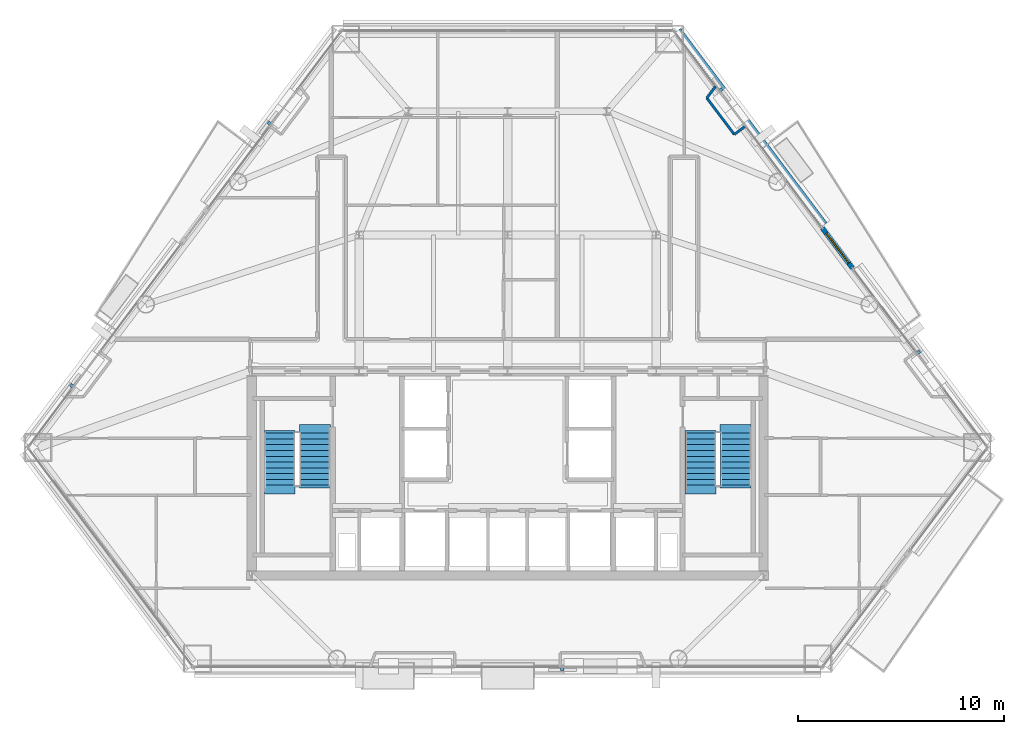
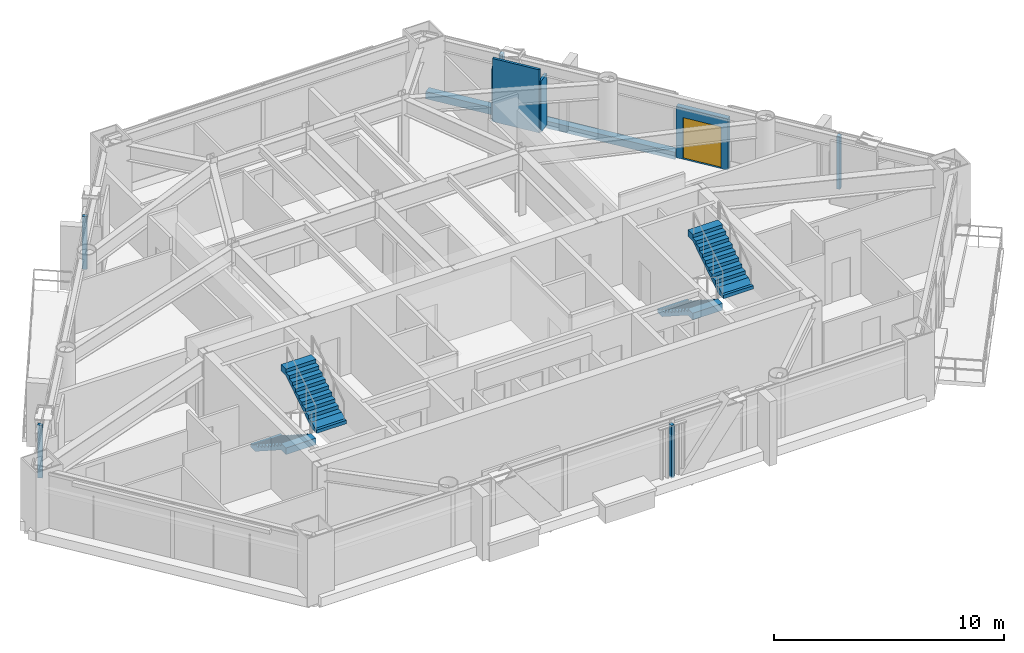
# One storey, part 9 of 11: 5 discrete accessories, 5 walls, 4 stair flights, 1 door, 1 opening, 2 elements without a shape of their own.
"""IFC4 building model written with IfcOpenShell, lengths in metres."""

from ifc_helpers import new_model, si_unit, direction, frame, frame_2d, origin, origin_2d, place, context, subcontext, project, spatial, polyline, rectangle, outline, extrude, source, transform, mapped, material, layer, layer_set, type_object, type_shapes, element, fill, aggregate, save


model = new_model("IFC4")

# Units and contexts
model_context = context("Model", 3, precision=1e-05, world=origin(), true_north=direction((0.0, 1.0)))
body_context = subcontext(model_context, "Body", "Model", "MODEL_VIEW")
ifc_project = project(units=[si_unit("LENGTHUNIT", "METRE"), si_unit("AREAUNIT", "SQUARE_METRE"), si_unit("VOLUMEUNIT", "CUBIC_METRE"), si_unit("PLANEANGLEUNIT", "RADIAN"), si_unit("MASSUNIT", "GRAM", prefix="KILO")], contexts=[model_context])

# Site, building, storey
site_placement = place(None, origin())
site = spatial("IfcSite", under=ifc_project, at=site_placement, CompositionType="ELEMENT")
building_placement = place(site_placement, origin())
building = spatial("IfcBuilding", under=site, at=building_placement, Name="Talgorran Terracotta Tower", CompositionType="ELEMENT")
storey_placement = place(building_placement, frame((0.0, 0.0, 42.300048828125)))
storey = spatial("IfcBuildingStorey", under=building, at=storey_placement, Name="L10", CompositionType="ELEMENT", Elevation=42.300048828125)

# Wall, opening, door
ifc_material_1 = material(Name="Concrete C40/50", Category="concrete")
ifc_layer_1 = layer(ifc_material_1, 0.239990234375, Name="WT_BALCONY_SPAND")
ifc_layer_set_1 = layer_set([ifc_layer_1], Name="Concrete C40/50")
wall_type_1 = type_object("IfcWallType", Name="WT_BALCONY_SPAND", PredefinedType="STANDARD", material=ifc_layer_set_1)
wall_1_placement = place(storey_placement, frame((16.72021484375, 0.7900390625, -0.01513671875), z_axis=(0.0, 0.0, 1.0), x_axis=(-0.601647678338, 0.798761585926, 0.0)))
wall_1 = element("IfcWall", 1, at=wall_1_placement, inside=storey, type_object=wall_type_1, Name="WL-L10-BALP-BAL-NE", PredefinedType="STANDARD", context=body_context, shape_type="SweptSolid", body=[
    extrude(rectangle(XDim=2.43994140625, YDim=0.239990234375, at=frame_2d((1.219970703125, 0.0))), origin(), (0.0, 0.0, 1.0), 2.728515625),
])
opening_placement = place(wall_1_placement, frame((0.320068359375, 0.0, 0.014892578125)))
opening = element("IfcOpeningElement", 2, at=opening_placement, cuts=wall_1, Name="Opening D-BAL-L10-1", PredefinedType="OPENING", context=body_context, shape_type="SweptSolid", body=[
    extrude(rectangle(XDim=1.806048828125, YDim=2.203951171875, at=frame_2d((0.89990234375, 1.10205078125))), frame((0.0, 0.1298828125, 0.0), z_axis=(0.0, -1.0, 0.0), x_axis=(1.0, 0.0, 0.0)), (0.0, 0.0, 1.0), 0.260009765625),
])
ifc_material_2 = material(Name="Thermally Broken Aluminium", Category="aluminium")
door_type = type_object("IfcDoorType", Name="DT_BALC_1800", OperationType="SLIDING_TO_LEFT", PredefinedType="DOOR", material=ifc_material_2)
door_placement = place(opening_placement, origin())
door = element("IfcDoor", 3, at=door_placement, inside=storey, type_object=door_type, Name="DR-L10-BAL-BAL-NE", OperationType="SLIDING_TO_LEFT", OverallHeight=2.199951171875, OverallWidth=1.800048828125, PredefinedType="DOOR", context=body_context, shape_type="SweptSolid", body=[
    extrude(rectangle(XDim=1.800048828125, YDim=2.199951171875, at=frame_2d((0.89990234375, 1.10009765625))), frame((0.0, 0.02490234375, 0.0), z_axis=(0.0, -1.0, 0.0), x_axis=(1.0, 0.0, 0.0)), (0.0, 0.0, 1.0), 0.050048828125),
])
fill(opening, door)

# Walls
ifc_layer_2 = layer(ifc_material_1, 0.219970703125, Name="WT_PARAPET_RC")
ifc_layer_set_2 = layer_set([ifc_layer_2], Name="Concrete C40/50")
wall_type_2 = type_object("IfcWallType", Name="WT_PARAPET_RC", PredefinedType="PARAPET", material=ifc_layer_set_2)
wall_2_placement = place(storey_placement, frame((15.325927734375, 2.9072265625, -0.199951171875), z_axis=(0.0, 0.0, 1.0), x_axis=(-0.601625447282, 0.798778330441, 0.0)))
element("IfcWall", 4, at=wall_2_placement, inside=storey, type_object=wall_type_2, Name="L10 Striped Portal Precast Cornice F41", PredefinedType="PARAPET", context=body_context, shape_type="SweptSolid", body=[
    extrude(rectangle(XDim=11.7666015625, YDim=0.360107421875, at=frame_2d((5.88330078125, 0.0))), origin(), (0.0, 0.0, 1.0), 0.3798828125),
])
ifc_material_3 = material(Name="Insulated Steel Stud Plasterboard", Category="steel")
ifc_layer_3 = layer(ifc_material_3, 0.1201171875, Name="WT_PART_120")
ifc_layer_set_3 = layer_set([ifc_layer_3], Name="Insulated Steel Stud Plasterboard")
wall_type_3 = type_object("IfcWallType", Name="WT_PART_120", PredefinedType="PARTITIONING", material=ifc_layer_set_3)
wall_3_placement = place(storey_placement, frame((10.98291015625, 7.27734375, 0.0), z_axis=(0.0, 0.0, 1.0), x_axis=(-0.60167490335, 0.798741078622, 0.0)))
element("IfcWall", 5, at=wall_3_placement, inside=storey, type_object=wall_type_3, Name="WL-L10-BW-L10-17", PredefinedType="PARTITIONING", context=body_context, shape_type="SweptSolid", body=[
    extrude(rectangle(XDim=2.2138671875, YDim=0.1201171875, at=frame_2d((1.10693359375, 0.0))), origin(), (0.0, 0.0, 1.0), 3.349853515625),
])
wall_4_placement = place(storey_placement, frame((9.65087890625, 9.045654296875, 0.0), z_axis=(0.0, 0.0, 1.0), x_axis=(0.601455382011, 0.79890639217, 0.0)))
element("IfcWall", 6, at=wall_4_placement, inside=storey, type_object=wall_type_3, Name="WL-L10-BW-L10-18", PredefinedType="PARTITIONING", context=body_context, shape_type="SweptSolid", body=[
    extrude(rectangle(XDim=0.697265625, YDim=0.1201171875, at=frame_2d((0.3486328125, 0.0))), origin(), (0.0, 0.0, 1.0), 2.71337890625),
])
wall_5_placement = place(storey_placement, frame((11.51806640625, 7.680419921875, 0.0), z_axis=(0.0, 0.0, 1.0), x_axis=(-0.798773936271, -0.601631281379, 0.0)))
element("IfcWall", 7, at=wall_5_placement, inside=storey, type_object=wall_type_3, Name="WL-L10-BW-L10-16", PredefinedType="PARTITIONING", context=body_context, shape_type="SweptSolid", body=[
    extrude(rectangle(XDim=0.669921875, YDim=0.1201171875, at=frame_2d((0.3349609375, 0.0))), origin(), (0.0, 0.0, 1.0), 2.71337890625),
])

# Stair, stair flights
stair_type = type_object("IfcStairType", Name="ST_FIRE_SCISSOR", PredefinedType="HALF_TURN_STAIR", material=ifc_material_1)
stair_1_placement = place(storey_placement, origin())
stair_1 = element("IfcStair", 8, at=stair_1_placement, inside=storey, type_object=stair_type, Name="L10 West Protected Fire Stair ST-01", PredefinedType="HALF_TURN_STAIR")
ifc_layer_4 = layer(ifc_material_1, 0.179931640625, Name="STF_RC_1500")
ifc_layer_set_4 = layer_set([ifc_layer_4], Name="Concrete C40/50")
stair_flight_type = type_object("IfcStairFlightType", Name="STF_RC_1500", PredefinedType="STRAIGHT", material=ifc_layer_set_4)
stair_flight_1_placement = place(storey_placement, frame((-11.050048828125, -7.199951171875, 0.0), z_axis=(0.0, 0.0, 1.0), x_axis=(0.0, -1.0, 0.0)))
stair_flight_1 = element("IfcStairFlight", 9, at=stair_flight_1_placement, type_object=stair_flight_type, Name="ST-01 flight 1", NumberOfRisers=10, NumberOfTreads=9, PredefinedType="STRAIGHT", RiserHeight=0.18, TreadLength=0.28, context=body_context, shape_type="SweptSolid", body=[
    extrude(outline(polyline([(-0.139892578125, 0.0), (-0.139892578125, 0.179931640625), (0.0, 0.179931640625), (0.280029296875, 0.360107421875), (0.56005859375, 0.360107421875), (0.56005859375, 0.5400390625), (0.840087890625, 0.5400390625), (0.840087890625, 0.719970703125), (1.1201171875, 0.719970703125), (1.1201171875, 0.89990234375), (1.39990234375, 0.89990234375), (1.39990234375, 1.080078125), (1.679931640625, 1.080078125), (1.679931640625, 1.260009765625), (1.9599609375, 1.260009765625), (1.9599609375, 1.43994140625), (2.239990234375, 1.43994140625), (2.239990234375, 1.6201171875), (2.52001953125, 1.6201171875), (2.52001953125, 1.800048828125), (2.93994140625, 1.800048828125), (2.93994140625, 1.44189453125), (2.52001953125, 1.44189453125), (0.277099609375, 0.0), (-0.139892578125, 0.0)])), frame((0.0, 0.75, 0.0), z_axis=(0.0, -1.0, 0.0), x_axis=(1.0, 0.0, 0.0)), (0.0, 0.0, 1.0), 1.5),
])
stair_flight_2_placement = place(storey_placement, frame((-9.35009765625, -9.719970703125, 1.800048828125), z_axis=(0.0, 0.0, 1.0), x_axis=(0.0, 1.0, 0.0)))
stair_flight_2 = element("IfcStairFlight", 10, at=stair_flight_2_placement, type_object=stair_flight_type, Name="ST-01 flight 2", NumberOfRisers=10, NumberOfTreads=9, PredefinedType="STRAIGHT", RiserHeight=0.18, TreadLength=0.28, context=body_context, shape_type="SweptSolid", body=[
    extrude(outline(polyline([(-0.139892578125, 0.0), (-0.139892578125, 0.179931640625), (0.0, 0.179931640625), (0.280029296875, 0.360107421875), (0.56005859375, 0.360107421875), (0.56005859375, 0.5400390625), (0.840087890625, 0.5400390625), (0.840087890625, 0.719970703125), (1.1201171875, 0.719970703125), (1.1201171875, 0.89990234375), (1.39990234375, 0.89990234375), (1.39990234375, 1.080078125), (1.679931640625, 1.080078125), (1.679931640625, 1.260009765625), (1.9599609375, 1.260009765625), (1.9599609375, 1.43994140625), (2.239990234375, 1.43994140625), (2.239990234375, 1.6201171875), (2.52001953125, 1.6201171875), (2.52001953125, 1.800048828125), (2.93994140625, 1.800048828125), (2.93994140625, 1.44189453125), (2.52001953125, 1.44189453125), (0.277099609375, 0.0), (-0.139892578125, 0.0)])), frame((0.0, 0.75, 0.0), z_axis=(0.0, -1.0, 0.0), x_axis=(1.0, 0.0, 0.0)), (0.0, 0.0, 1.0), 1.5),
])
aggregate(stair_1, [stair_flight_1, stair_flight_2])

stair_2_placement = place(storey_placement, origin())
stair_2 = element("IfcStair", 11, at=stair_2_placement, inside=storey, type_object=stair_type, Name="L10 East Protected Fire Stair ST-02", PredefinedType="HALF_TURN_STAIR")
stair_flight_3_placement = place(storey_placement, frame((9.35009765625, -7.199951171875, 0.0), z_axis=(0.0, 0.0, 1.0), x_axis=(0.0, -1.0, 0.0)))
stair_flight_3 = element("IfcStairFlight", 12, at=stair_flight_3_placement, type_object=stair_flight_type, Name="ST-02 flight 1", NumberOfRisers=10, NumberOfTreads=9, PredefinedType="STRAIGHT", RiserHeight=0.18, TreadLength=0.28, context=body_context, shape_type="SweptSolid", body=[
    extrude(outline(polyline([(-0.139892578125, 0.0), (-0.139892578125, 0.179931640625), (0.0, 0.179931640625), (0.280029296875, 0.360107421875), (0.56005859375, 0.360107421875), (0.56005859375, 0.5400390625), (0.840087890625, 0.5400390625), (0.840087890625, 0.719970703125), (1.1201171875, 0.719970703125), (1.1201171875, 0.89990234375), (1.39990234375, 0.89990234375), (1.39990234375, 1.080078125), (1.679931640625, 1.080078125), (1.679931640625, 1.260009765625), (1.9599609375, 1.260009765625), (1.9599609375, 1.43994140625), (2.239990234375, 1.43994140625), (2.239990234375, 1.6201171875), (2.52001953125, 1.6201171875), (2.52001953125, 1.800048828125), (2.93994140625, 1.800048828125), (2.93994140625, 1.44189453125), (2.52001953125, 1.44189453125), (0.277099609375, 0.0), (-0.139892578125, 0.0)])), frame((0.0, 0.75, 0.0), z_axis=(0.0, -1.0, 0.0), x_axis=(1.0, 0.0, 0.0)), (0.0, 0.0, 1.0), 1.5),
])
stair_flight_4_placement = place(storey_placement, frame((11.050048828125, -9.719970703125, 1.800048828125), z_axis=(0.0, 0.0, 1.0), x_axis=(0.0, 1.0, 0.0)))
stair_flight_4 = element("IfcStairFlight", 13, at=stair_flight_4_placement, type_object=stair_flight_type, Name="ST-02 flight 2", NumberOfRisers=10, NumberOfTreads=9, PredefinedType="STRAIGHT", RiserHeight=0.18, TreadLength=0.28, context=body_context, shape_type="SweptSolid", body=[
    extrude(outline(polyline([(-0.139892578125, 0.0), (-0.139892578125, 0.179931640625), (0.0, 0.179931640625), (0.280029296875, 0.360107421875), (0.56005859375, 0.360107421875), (0.56005859375, 0.5400390625), (0.840087890625, 0.5400390625), (0.840087890625, 0.719970703125), (1.1201171875, 0.719970703125), (1.1201171875, 0.89990234375), (1.39990234375, 0.89990234375), (1.39990234375, 1.080078125), (1.679931640625, 1.080078125), (1.679931640625, 1.260009765625), (1.9599609375, 1.260009765625), (1.9599609375, 1.43994140625), (2.239990234375, 1.43994140625), (2.239990234375, 1.6201171875), (2.52001953125, 1.6201171875), (2.52001953125, 1.800048828125), (2.93994140625, 1.800048828125), (2.93994140625, 1.44189453125), (2.52001953125, 1.44189453125), (0.277099609375, 0.0), (-0.139892578125, 0.0)])), frame((0.0, 0.75, 0.0), z_axis=(0.0, -1.0, 0.0), x_axis=(1.0, 0.0, 0.0)), (0.0, 0.0, 1.0), 1.5),
])
aggregate(stair_2, [stair_flight_3, stair_flight_4])

# Discrete accessories
ifc_material_4 = material(Name="Stainless Steel Grade 316", Category="steel")
ifc_layer_5 = layer(ifc_material_4, 0.080078125, Name="ACC_BAGUETTE_BRKT")
ifc_layer_set_5 = layer_set([ifc_layer_5], Name="Stainless Steel Grade 316")
discrete_accessory_type = type_object("IfcDiscreteAccessoryType", Name="ACC_BAGUETTE_BRKT", PredefinedType="BRACKET", material=ifc_layer_set_5)
shared_shape = source(origin(), body_context, "Body", "SweptSolid", [
    extrude(rectangle(XDim=0.159912109375, YDim=0.219970703125, at=origin_2d()), origin(), (0.0, 0.0, 1.0), 2.800048828125),
])
type_shapes(discrete_accessory_type, [shared_shape])
for number, where, z_axis, x_axis, name in (
    (14, (2.6513671875, -18.605712890625, 0.35009765625), (0.0, 0.0, 1.0), (1.0, 0.0, 0.0), "BRK-L10-F1"),
    (15, (19.88671875, -3.297607421875, 0.35009765625), (0.0, 0.0, 1.0), (-0.601633803014, 0.798772036986, 0.0), "BRK-L10-F40"),
    (16, (10.306396484375, 9.422119140625, 0.35009765625), (0.0, 0.0, 1.0), (-0.601633803014, 0.798772036986, 0.0), "BRK-L10-F41"),
    (17, (-11.525634765625, 7.803466796875, 0.35009765625), (0.0, 0.0, 1.0), (-0.601633803014, -0.798772036986, 0.0), "BRK-L10-F60"),
    (18, (-21.10595703125, -4.91650390625, 0.35009765625), (0.0, 0.0, 1.0), (-0.601633803014, -0.798772036986, 0.0), "BRK-L10-F61"),
):
    element("IfcDiscreteAccessory", number, at=place(storey_placement, frame(where, z_axis=z_axis, x_axis=x_axis)), inside=storey, type_object=discrete_accessory_type, Name=name, PredefinedType="BRACKET", context=body_context, shape_type="MappedRepresentation", body=[
        mapped(shared_shape, transform((0.0, 0.0, 0.0), scale=1.0)),
    ])

save(model, "model.ifc")
